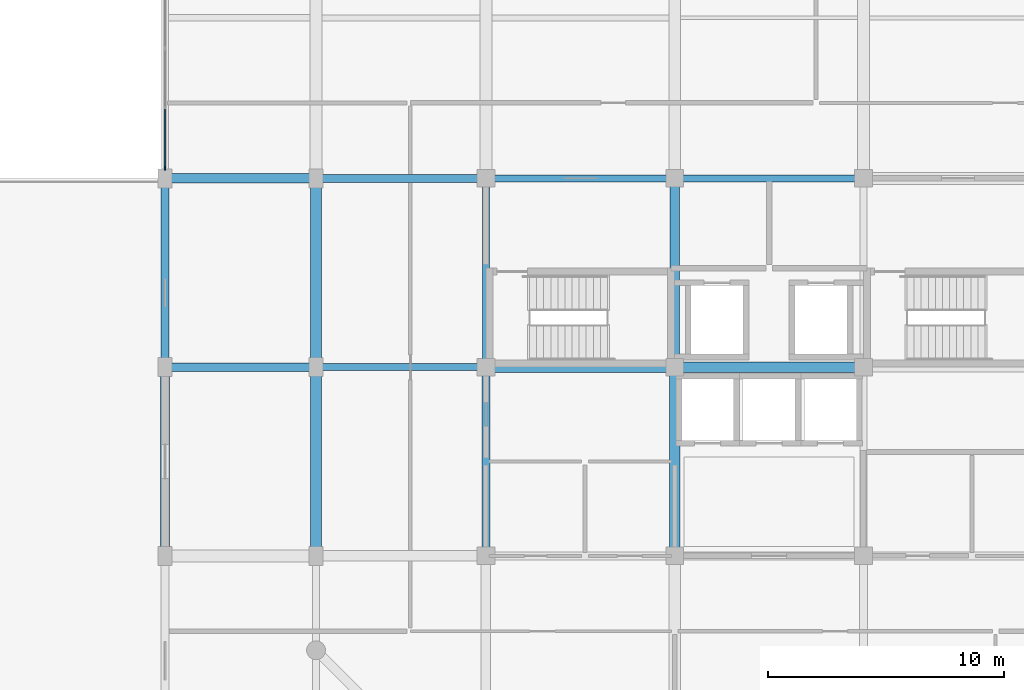
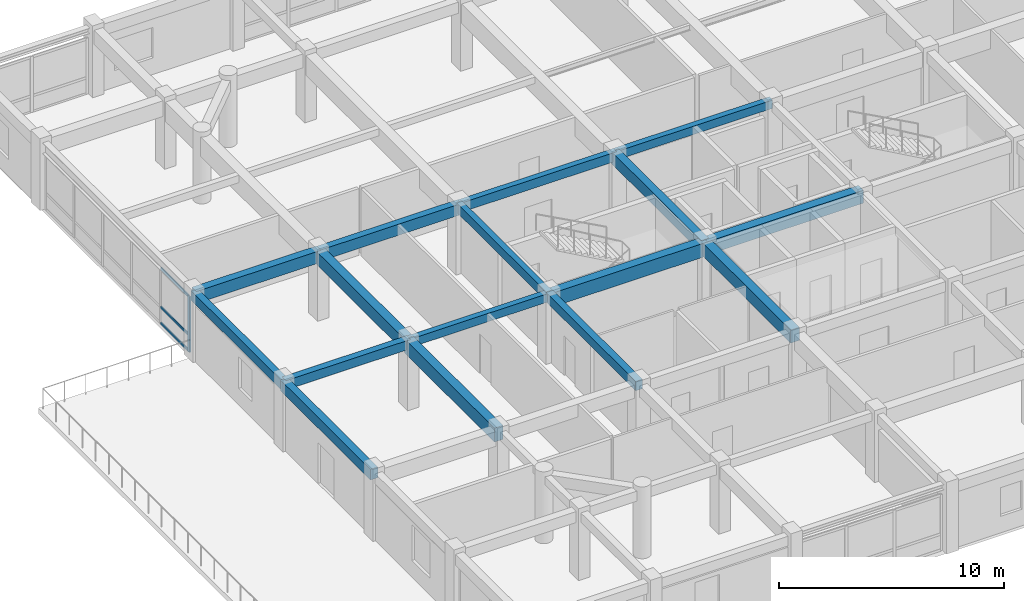
# One storey, part 3 of 14: 16 beams, 4 members, 1 element without a shape of its own.
"""IFC4 building model written with IfcOpenShell, lengths in metres."""

from ifc_helpers import new_model, si_unit, direction, frame, origin, origin_2d, place, context, subcontext, project, spatial, rectangle, extrude, material, material_profile, profile_set, type_object, element, aggregate, save


model = new_model("IFC4")

# Units and contexts
model_context = context("Model", 3, precision=1e-05, world=origin(), true_north=direction((0.0, 1.0)))
body_context = subcontext(model_context, "Body", "Model", "MODEL_VIEW")
ifc_project = project(units=[si_unit("LENGTHUNIT", "METRE"), si_unit("AREAUNIT", "SQUARE_METRE"), si_unit("VOLUMEUNIT", "CUBIC_METRE"), si_unit("PLANEANGLEUNIT", "RADIAN"), si_unit("MASSUNIT", "GRAM", prefix="KILO")], contexts=[model_context])

# Site, building, storey
site_placement = place(None, origin())
site = spatial("IfcSite", under=ifc_project, at=site_placement, CompositionType="ELEMENT")
building_placement = place(site_placement, origin())
building = spatial("IfcBuilding", under=site, at=building_placement, Name="Vellmiral Cinema and Media Centre", CompositionType="ELEMENT")
storey_placement = place(building_placement, frame((0.0, 0.0, 27.800048828125)))
storey = spatial("IfcBuildingStorey", under=building, at=storey_placement, Name="L06", CompositionType="ELEMENT", Elevation=27.800048828125)

# Beams
ifc_material_1 = material(Name="Concrete C40/50", Category="concrete")
ifc_material_profile_1 = material_profile(ifc_material_1, rectangle(XDim=0.300048828125, YDim=0.449951171875, at=origin_2d()), Name="RC 300x450")
ifc_profile_set_1 = profile_set([ifc_material_profile_1], Name="Concrete C40/50")
beam_type_1 = type_object("IfcBeamType", Name="BM-RC-300x450", PredefinedType="BEAM", material=ifc_profile_set_1)
beam_1_placement = place(storey_placement, frame((116.800048828125, 87.199951171875, 3.409912109375), z_axis=(1.0, 0.0, 0.0), x_axis=(0.0, 1.0, 0.0)))
element("IfcBeam", 1, at=beam_1_placement, inside=storey, type_object=beam_type_1, Name="Grid Beam L06-X023", PredefinedType="BEAM", context=body_context, shape_type="SweptSolid", body=[
    extrude(rectangle(XDim=0.300048828125, YDim=0.449951171875, at=origin_2d()), origin(), (0.0, 0.0, 1.0), 7.199951171875),
])
beam_2_placement = place(storey_placement, frame((132.0, 95.199951171875, 3.409912109375), z_axis=(1.0, 0.0, 0.0), x_axis=(0.0, 1.0, 0.0)))
element("IfcBeam", 2, at=beam_2_placement, inside=storey, type_object=beam_type_1, Name="Grid Beam L06-X032", PredefinedType="BEAM", context=body_context, shape_type="SweptSolid", body=[
    extrude(rectangle(XDim=0.300048828125, YDim=0.449951171875, at=origin_2d()), origin(), (0.0, 0.0, 1.0), 8.0),
])
ifc_material_2 = material(Name="Concrete C40/50", Category="concrete")
ifc_material_profile_2 = material_profile(ifc_material_2, rectangle(XDim=0.300048828125, YDim=0.5, at=origin_2d()), Name="RC 300x500")
ifc_profile_set_2 = profile_set([ifc_material_profile_2], Name="Concrete C40/50")
beam_type_2 = type_object("IfcBeamType", Name="BM-RC-300x500", PredefinedType="BEAM", material=ifc_profile_set_2)
for number, where, z_axis, x_axis, name in (
    (3, (124.0, 95.199951171875, 3.385009765625), (1.0, 0.0, 0.0), (0.0, 1.0, 0.0), "Grid Beam L06-X031"),
    (4, (124.0, 87.199951171875, 3.385009765625), (0.0, 1.0, 0.0), (-1.0, 0.0, 0.0), "Grid Beam L06-Y064"),
):
    element("IfcBeam", number, at=place(storey_placement, frame(where, z_axis=z_axis, x_axis=x_axis)), inside=storey, type_object=beam_type_2, Name=name, PredefinedType="BEAM", context=body_context, shape_type="SweptSolid", body=[
        extrude(rectangle(XDim=0.300048828125, YDim=0.5, at=origin_2d()), origin(), (0.0, 0.0, 1.0), 8.0),
    ])
ifc_material_3 = material(Name="Concrete C40/50", Category="concrete")
ifc_material_profile_3 = material_profile(ifc_material_3, rectangle(XDim=0.35009765625, YDim=0.5, at=origin_2d()), Name="RC 350x500")
ifc_profile_set_3 = profile_set([ifc_material_profile_3], Name="Concrete C40/50")
beam_type_3 = type_object("IfcBeamType", Name="BM-RC-350x500", PredefinedType="BEAM", material=ifc_profile_set_3)
beam_3_placement = place(storey_placement, frame((110.39990234375, 87.199951171875, 3.385009765625), z_axis=(1.0, 0.0, 0.0), x_axis=(0.0, 1.0, 0.0)))
element("IfcBeam", 5, at=beam_3_placement, inside=storey, type_object=beam_type_3, Name="Grid Beam L06-X022", PredefinedType="BEAM", context=body_context, shape_type="SweptSolid", body=[
    extrude(rectangle(XDim=0.35009765625, YDim=0.5, at=origin_2d()), origin(), (0.0, 0.0, 1.0), 6.400146484375),
])
beam_4_placement = place(storey_placement, frame((124.0, 79.199951171875, 3.385009765625), z_axis=(0.0, 1.0, 0.0), x_axis=(-1.0, 0.0, 0.0)))
element("IfcBeam", 6, at=beam_4_placement, inside=storey, type_object=beam_type_3, Name="Grid Beam L06-Y063", PredefinedType="BEAM", context=body_context, shape_type="SweptSolid", body=[
    extrude(rectangle(XDim=0.35009765625, YDim=0.5, at=origin_2d()), origin(), (0.0, 0.0, 1.0), 8.0),
])
ifc_material_4 = material(Name="Concrete C40/50", Category="concrete")
ifc_material_profile_4 = material_profile(ifc_material_4, rectangle(XDim=0.35009765625, YDim=0.60009765625, at=origin_2d()), Name="RC 350x600")
ifc_profile_set_4 = profile_set([ifc_material_profile_4], Name="Concrete C40/50")
beam_type_4 = type_object("IfcBeamType", Name="BM-RC-350x600", PredefinedType="BEAM", material=ifc_profile_set_4)
beam_5_placement = place(storey_placement, frame((116.800048828125, 95.199951171875, 3.3349609375), z_axis=(1.0, 0.0, 0.0), x_axis=(0.0, 1.0, 0.0)))
element("IfcBeam", 7, at=beam_5_placement, inside=storey, type_object=beam_type_4, Name="Grid Beam L06-X030", PredefinedType="BEAM", context=body_context, shape_type="SweptSolid", body=[
    extrude(rectangle(XDim=0.35009765625, YDim=0.60009765625, at=origin_2d()), origin(), (0.0, 0.0, 1.0), 7.199951171875),
])
ifc_material_5 = material(Name="Concrete C40/50", Category="concrete")
ifc_material_profile_5 = material_profile(ifc_material_5, rectangle(XDim=0.39990234375, YDim=0.64990234375, at=origin_2d()), Name="RC 400x650")
ifc_profile_set_5 = profile_set([ifc_material_profile_5], Name="Concrete C40/50")
beam_type_5 = type_object("IfcBeamType", Name="BM-RC-400x650", PredefinedType="BEAM", material=ifc_profile_set_5)
beam_6_placement = place(storey_placement, frame((110.39990234375, 95.199951171875, 3.31005859375), z_axis=(1.0, 0.0, 0.0), x_axis=(0.0, 1.0, 0.0)))
element("IfcBeam", 8, at=beam_6_placement, inside=storey, type_object=beam_type_5, Name="Grid Beam L06-X029", PredefinedType="BEAM", context=body_context, shape_type="SweptSolid", body=[
    extrude(rectangle(XDim=0.39990234375, YDim=0.64990234375, at=origin_2d()), origin(), (0.0, 0.0, 1.0), 6.400146484375),
])
beam_7_placement = place(storey_placement, frame((132.0, 87.199951171875, 3.31005859375), z_axis=(0.0, 1.0, 0.0), x_axis=(-1.0, 0.0, 0.0)))
element("IfcBeam", 9, at=beam_7_placement, inside=storey, type_object=beam_type_5, Name="Grid Beam L06-Y070", PredefinedType="BEAM", context=body_context, shape_type="SweptSolid", body=[
    extrude(rectangle(XDim=0.39990234375, YDim=0.64990234375, at=origin_2d()), origin(), (0.0, 0.0, 1.0), 8.0),
])
ifc_material_6 = material(Name="Concrete C40/50", Category="concrete")
ifc_material_profile_6 = material_profile(ifc_material_6, rectangle(XDim=0.449951171875, YDim=0.699951171875, at=origin_2d()), Name="RC 450x700")
ifc_profile_set_6 = profile_set([ifc_material_profile_6], Name="Concrete C40/50")
beam_type_6 = type_object("IfcBeamType", Name="BM-RC-450x700", PredefinedType="BEAM", material=ifc_profile_set_6)
for number, where, z_axis, x_axis, name in (
    (10, (132.0, 87.199951171875, 3.284912109375), (1.0, 0.0, 0.0), (0.0, 1.0, 0.0), "Grid Beam L06-X025"),
    (11, (116.800048828125, 87.199951171875, 3.284912109375), (0.0, 1.0, 0.0), (-1.0, 0.0, 0.0), "Grid Beam L06-Y058"),
    (12, (132.0, 79.199951171875, 3.284912109375), (0.0, 1.0, 0.0), (-1.0, 0.0, 0.0), "Grid Beam L06-Y069"),
):
    element("IfcBeam", number, at=place(storey_placement, frame(where, z_axis=z_axis, x_axis=x_axis)), inside=storey, type_object=beam_type_6, Name=name, PredefinedType="BEAM", context=body_context, shape_type="SweptSolid", body=[
        extrude(rectangle(XDim=0.449951171875, YDim=0.699951171875, at=origin_2d()), origin(), (0.0, 0.0, 1.0), 8.0),
    ])
ifc_material_7 = material(Name="Concrete C40/50", Category="concrete")
ifc_material_profile_7 = material_profile(ifc_material_7, rectangle(XDim=0.449951171875, YDim=0.75, at=origin_2d()), Name="RC 450x750")
ifc_profile_set_7 = profile_set([ifc_material_profile_7], Name="Concrete C40/50")
beam_type_7 = type_object("IfcBeamType", Name="BM-RC-450x750", PredefinedType="BEAM", material=ifc_profile_set_7)
for number, where, z_axis, x_axis, name in (
    (13, (124.0, 87.199951171875, 3.260009765625), (1.0, 0.0, 0.0), (0.0, 1.0, 0.0), "Grid Beam L06-X024"),
    (14, (116.800048828125, 79.199951171875, 3.260009765625), (0.0, 1.0, 0.0), (-1.0, 0.0, 0.0), "Grid Beam L06-Y057"),
):
    element("IfcBeam", number, at=place(storey_placement, frame(where, z_axis=z_axis, x_axis=x_axis)), inside=storey, type_object=beam_type_7, Name=name, PredefinedType="BEAM", context=body_context, shape_type="SweptSolid", body=[
        extrude(rectangle(XDim=0.449951171875, YDim=0.75, at=origin_2d()), origin(), (0.0, 0.0, 1.0), 8.0),
    ])

# Curtain wall, members
ifc_material_8 = material(Name="Thermally Broken Aluminium and Triple Glazing", Category="aluminium")
curtain_wall_type = type_object("IfcCurtainWallType", Name="CW-TOWER-LOW-N", PredefinedType="USERDEFINED", material=ifc_material_8)
curtain_wall_placement = place(storey_placement, origin())
curtain_wall = element("IfcCurtainWall", 15, at=curtain_wall_placement, inside=storey, type_object=curtain_wall_type, Name="Curtain Wall L06-B025", ObjectType="UNITISED CURTAIN WALL", PredefinedType="USERDEFINED")
ifc_material_9 = material(Name="Thermally Broken Anodised Aluminium", Category="aluminium")
ifc_material_profile_8 = material_profile(ifc_material_9, rectangle(XDim=0.06494140625, YDim=0.159912109375, at=origin_2d()), Name="MULL 65x160")
ifc_profile_set_8 = profile_set([ifc_material_profile_8], Name="Thermally Broken Anodised Aluminium")
member_type_1 = type_object("IfcMemberType", Name="CWM-65x160", PredefinedType="MULLION", material=ifc_profile_set_8)
member_1_placement = place(storey_placement, frame((110.39990234375, 95.632568359375, 0.0), z_axis=(0.0, 0.0, 1.0), x_axis=(1.0, 0.0, 0.0)))
member_1 = element("IfcMember", 16, at=member_1_placement, type_object=member_type_1, Name="CW-05 mullion 6", PredefinedType="MULLION", context=body_context, shape_type="SweptSolid", body=[
    extrude(rectangle(XDim=0.06494140625, YDim=0.159912109375, at=origin_2d()), origin(), (0.0, 0.0, 1.0), 3.02490234375),
])
ifc_material_10 = material(Name="Thermally Broken Anodised Aluminium", Category="aluminium")
ifc_material_profile_9 = material_profile(ifc_material_10, rectangle(XDim=0.06494140625, YDim=0.135009765625, at=origin_2d()), Name="MULL 65x135")
ifc_profile_set_9 = profile_set([ifc_material_profile_9], Name="Thermally Broken Anodised Aluminium")
member_type_2 = type_object("IfcMemberType", Name="CWT-65x135", PredefinedType="USERDEFINED", material=ifc_profile_set_9)
member_2_placement = place(storey_placement, frame((110.39990234375, 98.12744140625, 0.032470703125), z_axis=(0.0, -1.0, 0.0), x_axis=(1.0, 0.0, 0.0)))
member_2 = element("IfcMember", 17, at=member_2_placement, type_object=member_type_2, Name="CW-05 transom 5.1", ObjectType="TRANSOM", PredefinedType="USERDEFINED", context=body_context, shape_type="SweptSolid", body=[
    extrude(rectangle(XDim=0.06494140625, YDim=0.135009765625, at=origin_2d()), origin(), (0.0, 0.0, 1.0), 2.46240234375),
])
member_3_placement = place(storey_placement, frame((110.39990234375, 98.12744140625, 0.89990234375), z_axis=(0.0, -1.0, 0.0), x_axis=(1.0, 0.0, 0.0)))
member_3 = element("IfcMember", 18, at=member_3_placement, type_object=member_type_2, Name="CW-05 transom 5.2", ObjectType="TRANSOM", PredefinedType="USERDEFINED", context=body_context, shape_type="SweptSolid", body=[
    extrude(rectangle(XDim=0.06494140625, YDim=0.135009765625, at=origin_2d()), origin(), (0.0, 0.0, 1.0), 2.46240234375),
])
member_4_placement = place(storey_placement, frame((110.39990234375, 98.12744140625, 2.992431640625), z_axis=(0.0, -1.0, 0.0), x_axis=(1.0, 0.0, 0.0)))
member_4 = element("IfcMember", 19, at=member_4_placement, type_object=member_type_2, Name="CW-05 transom 5.3", ObjectType="TRANSOM", PredefinedType="USERDEFINED", context=body_context, shape_type="SweptSolid", body=[
    extrude(rectangle(XDim=0.06494140625, YDim=0.135009765625, at=origin_2d()), origin(), (0.0, 0.0, 1.0), 2.46240234375),
])
aggregate(curtain_wall, [member_1, member_2, member_3, member_4])

# Beams
ifc_material_11 = material(Name="Vosges Red Sandstone Masonry", Category="masonry")
ifc_material_profile_10 = material_profile(ifc_material_11, rectangle(XDim=0.340087890625, YDim=0.52001953125, at=origin_2d()), Name="SAND 340x520")
ifc_profile_set_10 = profile_set([ifc_material_profile_10], Name="Vosges Red Sandstone Masonry")
beam_type_8 = type_object("IfcBeamType", Name="SPD-SAND-340x520", PredefinedType="SPANDREL", material=ifc_profile_set_10)
beam_8_placement = place(storey_placement, frame((110.39990234375, 87.199951171875, 3.375), z_axis=(0.0, 1.0, 0.0), x_axis=(-1.0, 0.0, 0.0)))
element("IfcBeam", 20, at=beam_8_placement, inside=storey, type_object=beam_type_8, Name="Grid Beam L06-Y052", PredefinedType="SPANDREL", context=body_context, shape_type="SweptSolid", body=[
    extrude(rectangle(XDim=0.340087890625, YDim=0.52001953125, at=origin_2d()), origin(), (0.0, 0.0, 1.0), 8.0),
])
ifc_material_12 = material(Name="Vosges Red Sandstone Masonry", Category="masonry")
ifc_material_profile_11 = material_profile(ifc_material_12, rectangle(XDim=0.3798828125, YDim=0.580078125, at=origin_2d()), Name="SAND 380x580")
ifc_profile_set_11 = profile_set([ifc_material_profile_11], Name="Vosges Red Sandstone Masonry")
beam_type_9 = type_object("IfcBeamType", Name="SPD-SAND-380x580", PredefinedType="SPANDREL", material=ifc_profile_set_11)
beam_9_placement = place(storey_placement, frame((110.39990234375, 79.199951171875, 3.344970703125), z_axis=(0.0, 1.0, 0.0), x_axis=(-1.0, 0.0, 0.0)))
element("IfcBeam", 21, at=beam_9_placement, inside=storey, type_object=beam_type_9, Name="Grid Beam L06-Y051", PredefinedType="SPANDREL", context=body_context, shape_type="SweptSolid", body=[
    extrude(rectangle(XDim=0.3798828125, YDim=0.580078125, at=origin_2d()), origin(), (0.0, 0.0, 1.0), 8.0),
])

save(model, "model.ifc")
